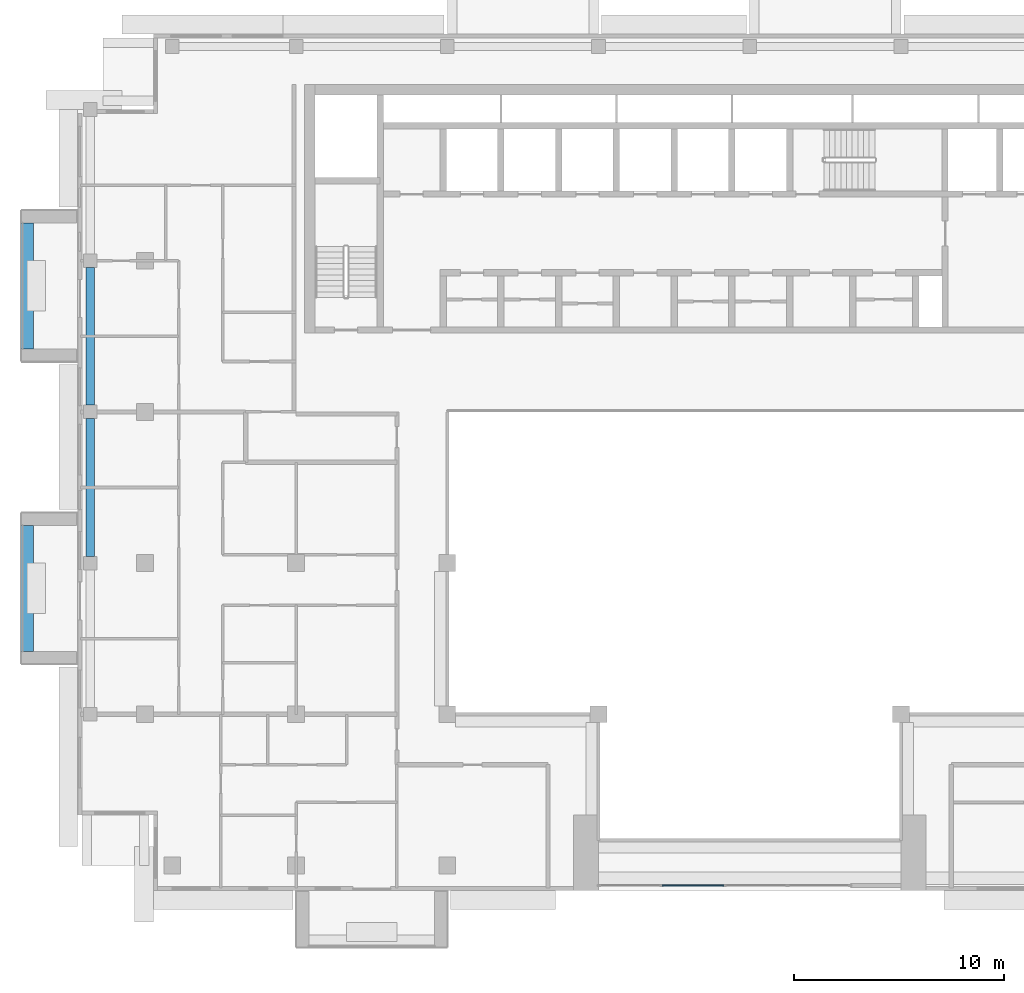
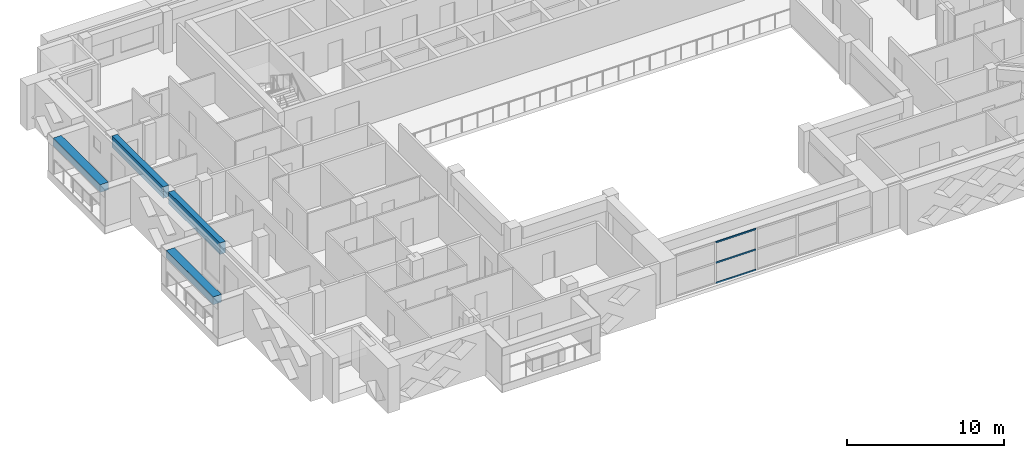
# One storey, part 3 of 19: 4 beams, 3 members, 1 element without a shape of its own.
"""IFC4 building model written with IfcOpenShell, lengths in metres."""

from ifc_helpers import new_model, si_unit, direction, frame, origin, origin_2d, place, context, subcontext, project, spatial, rectangle, extrude, source, transform, mapped, material, layer, layer_set, material_profile, profile_set, type_object, element, aggregate, save


model = new_model("IFC4")

# Units and contexts
model_context = context("Model", 3, precision=1e-05, world=origin(), true_north=direction((0.0, 1.0)))
body_context = subcontext(model_context, "Body", "Model", "MODEL_VIEW")
ifc_project = project(units=[si_unit("LENGTHUNIT", "METRE"), si_unit("AREAUNIT", "SQUARE_METRE"), si_unit("VOLUMEUNIT", "CUBIC_METRE"), si_unit("PLANEANGLEUNIT", "RADIAN"), si_unit("MASSUNIT", "GRAM", prefix="KILO")], contexts=[model_context])

# Site, building, storey
site_placement = place(None, origin())
site = spatial("IfcSite", under=ifc_project, at=site_placement, CompositionType="ELEMENT")
building_placement = place(site_placement, origin())
building = spatial("IfcBuilding", under=site, at=building_placement, Name="Saffron Iwan Residences", CompositionType="ELEMENT")
storey_placement = place(building_placement, frame((0.0, 0.0, 243.0)))
storey = spatial("IfcBuildingStorey", under=building, at=storey_placement, Name="L65", CompositionType="ELEMENT", Elevation=243.0)

# Beams
ifc_material_1 = material(Name="Concrete C40/50", Category="concrete")
ifc_material_profile_1 = material_profile(ifc_material_1, rectangle(XDim=0.39990234375, YDim=0.89990234375, at=origin_2d()), Name="RC 400x900")
ifc_profile_set_1 = profile_set([ifc_material_profile_1], Name="Concrete C40/50")
beam_type_1 = type_object("IfcBeamType", Name="SPANDREL BEAM RC 400x900 C40/50 TOP 3220", PredefinedType="SPANDREL", material=ifc_profile_set_1)
shared_shape_1 = source(origin(), body_context, "Body", "SweptSolid", [
    extrude(rectangle(XDim=0.39990234375, YDim=0.89990234375, at=origin_2d()), origin(), (0.0, 0.0, 1.0), 6.550048828125),
])
beam_1_placement = place(storey_placement, frame((19.0, 55.52490234375, 2.77001953125), z_axis=(0.0, 1.0, 0.0), x_axis=(-1.0, 0.0, 0.0)))
element("IfcBeam", 1, at=beam_1_placement, inside=storey, type_object=beam_type_1, Name="Spandrel beam", PredefinedType="SPANDREL", context=body_context, shape_type="MappedRepresentation", body=[
    mapped(shared_shape_1, transform((0.0, 0.0, 0.0))),
])
shared_shape_2 = source(origin(), body_context, "Body", "SweptSolid", [
    extrude(rectangle(XDim=0.39990234375, YDim=0.89990234375, at=origin_2d()), origin(), (0.0, 0.0, 1.0), 6.5498046875),
])
beam_2_placement = place(storey_placement, frame((19.0, 62.72509765625, 2.77001953125), z_axis=(0.0, 1.0, 0.0), x_axis=(-1.0, 0.0, 0.0)))
element("IfcBeam", 2, at=beam_2_placement, inside=storey, type_object=beam_type_1, Name="Spandrel beam", PredefinedType="SPANDREL", context=body_context, shape_type="MappedRepresentation", body=[
    mapped(shared_shape_2, transform((0.0, 0.0, 0.0))),
])

# Curtain wall, members
ifc_material_2 = material(Name="Clear glass, laminated double glazed", Category="glass")
ifc_layer = layer(ifc_material_2, 0.199951171875)
ifc_layer_set = layer_set([ifc_layer], Name="Clear glass, laminated double glazed")
curtain_wall_type = type_object("IfcCurtainWallType", Name="CW-B IWAN PORTAL", PredefinedType="NOTDEFINED", material=ifc_layer_set)
curtain_wall_placement = place(storey_placement, origin())
curtain_wall = element("IfcCurtainWall", 3, at=curtain_wall_placement, inside=storey, type_object=curtain_wall_type, Name="Iwan portal glazing L65.1", PredefinedType="NOTDEFINED")
ifc_material_3 = material(Name="Aluminium 6063-T6", Category="aluminium")
ifc_material_profile_2 = material_profile(ifc_material_3, rectangle(XDim=0.06005859375, YDim=0.1201171875, at=origin_2d()), Name="CW-B TRANSOM 60 x 120")
ifc_profile_set_2 = profile_set([ifc_material_profile_2], Name="Aluminium 6063-T6")
member_type = type_object("IfcMemberType", Name="CW-B TRANSOM 60 x 120", PredefinedType="USERDEFINED", material=ifc_profile_set_2)
shared_shape_3 = source(origin(), body_context, "Body", "SweptSolid", [
    extrude(rectangle(XDim=0.06005859375, YDim=0.1201171875, at=origin_2d()), origin(), (0.0, 0.0, 1.0), 2.93994140625),
])
member_1_placement = place(storey_placement, frame((46.22998046875, 39.85009765625, 0.030029296875), z_axis=(1.0, 0.0, 0.0), x_axis=(0.0, 1.0, 0.0)))
member_1 = element("IfcMember", 4, at=member_1_placement, type_object=member_type, Name="CW-B transom 2.1", ObjectType="TRANSOM", PredefinedType="USERDEFINED", context=body_context, shape_type="MappedRepresentation", body=[
    mapped(shared_shape_3, transform((0.0, 0.0, 0.0))),
])
member_2_placement = place(storey_placement, frame((46.22998046875, 39.85009765625, 1.610107421875), z_axis=(1.0, 0.0, 0.0), x_axis=(0.0, 1.0, 0.0)))
member_2 = element("IfcMember", 5, at=member_2_placement, type_object=member_type, Name="CW-B transom 2.2", ObjectType="TRANSOM", PredefinedType="USERDEFINED", context=body_context, shape_type="MappedRepresentation", body=[
    mapped(shared_shape_3, transform((0.0, 0.0, 0.0))),
])
member_3_placement = place(storey_placement, frame((46.22998046875, 39.85009765625, 3.18994140625), z_axis=(1.0, 0.0, 0.0), x_axis=(0.0, 1.0, 0.0)))
member_3 = element("IfcMember", 6, at=member_3_placement, type_object=member_type, Name="CW-B transom 2.3", ObjectType="TRANSOM", PredefinedType="USERDEFINED", context=body_context, shape_type="MappedRepresentation", body=[
    mapped(shared_shape_3, transform((0.0, 0.0, 0.0))),
])
aggregate(curtain_wall, [member_1, member_2, member_3])

# Beams
ifc_material_4 = material(Name="Concrete C50/60 white painted", Category="concrete")
ifc_material_profile_3 = material_profile(ifc_material_4, rectangle(XDim=0.60009765625, YDim=0.60009765625, at=origin_2d()), Name="BALCONY FASCIA BEAM 600 x 600")
ifc_profile_set_3 = profile_set([ifc_material_profile_3], Name="Concrete C50/60 white painted")
beam_type_2 = type_object("IfcBeamType", Name="BALCONY FASCIA BEAM 600 x 600", PredefinedType="BEAM", material=ifc_profile_set_3)
shared_shape_4 = source(origin(), body_context, "Body", "SweptSolid", [
    extrude(rectangle(XDim=0.60009765625, YDim=0.60009765625, at=origin_2d()), origin(), (0.0, 0.0, 1.0), 6.0),
])
for number, where, z_axis, x_axis, name in (
    (7, (16.0, 71.39990234375, 2.550048828125), (0.0, -1.0, 0.0), (1.0, 0.0, 0.0), "Balcony fascia beam L65 F8-0"),
    (8, (16.0, 57.0, 2.550048828125), (0.0, -1.0, 0.0), (1.0, 0.0, 0.0), "Balcony fascia beam L65 F8-1"),
):
    element("IfcBeam", number, at=place(storey_placement, frame(where, z_axis=z_axis, x_axis=x_axis)), inside=storey, type_object=beam_type_2, Name=name, PredefinedType="BEAM", context=body_context, shape_type="MappedRepresentation", body=[
        mapped(shared_shape_4, transform((0.0, 0.0, 0.0))),
    ])

save(model, "model.ifc")
